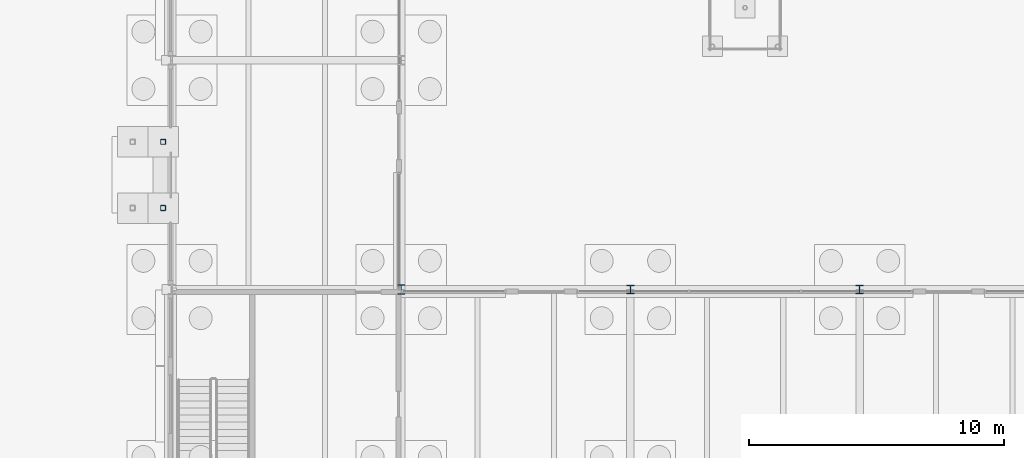
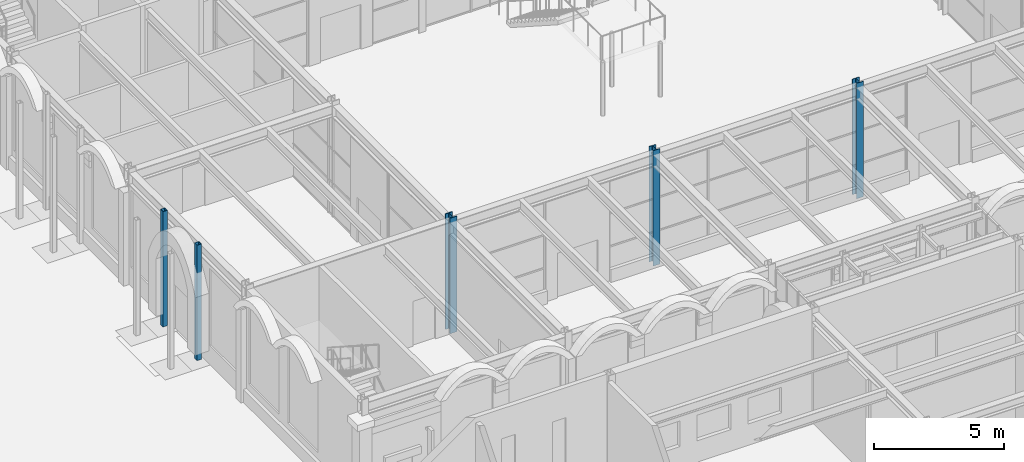
# One storey, part 12 of 126: 5 columns.
"""IFC4 building model written with IfcOpenShell, lengths in metres."""

from ifc_helpers import new_model, si_unit, direction, frame, origin, origin_2d, place, context, subcontext, project, spatial, hollow_rectangle, i_section, extrude, material, material_profile, profile_set, type_object, element, save


model = new_model("IFC4")

# Units and contexts
model_context = context("Model", 3, precision=1e-05, world=origin(), true_north=direction((0.0, 1.0)))
body_context = subcontext(model_context, "Body", "Model", "MODEL_VIEW")
ifc_project = project(units=[si_unit("LENGTHUNIT", "METRE"), si_unit("AREAUNIT", "SQUARE_METRE"), si_unit("VOLUMEUNIT", "CUBIC_METRE"), si_unit("PLANEANGLEUNIT", "RADIAN"), si_unit("MASSUNIT", "GRAM", prefix="KILO")], contexts=[model_context])

# Site, building, storey
site_placement = place(None, origin())
site = spatial("IfcSite", under=ifc_project, at=site_placement, CompositionType="ELEMENT")
building_placement = place(site_placement, origin())
building = spatial("IfcBuilding", under=site, at=building_placement, Name="Kallimachos Central Library", CompositionType="ELEMENT")
storey_placement = place(building_placement, origin())
storey = spatial("IfcBuildingStorey", under=building, at=storey_placement, Name="L00", CompositionType="ELEMENT", Elevation=0.0)

# Columns
ifc_material_1 = material(Name="Steel S355J2", Category="steel")
ifc_material_profile_1 = material_profile(ifc_material_1, i_section(OverallWidth=0.300048828125, OverallDepth=0.340087890625, WebThickness=0.011962890625, FlangeThickness=0.021484375, FilletRadius=0.027099609375, at=origin_2d()), Name="HEB 340")
ifc_profile_set_1 = profile_set([ifc_material_profile_1], Name="Steel S355J2")
column_type_1 = type_object("IfcColumnType", Name="HEB 340 column", PredefinedType="COLUMN", material=ifc_profile_set_1)
for number, where, z_axis, x_axis, name in (
    (1, (83.5, 57.0, 0.0), (0.0, 0.0, 1.0), (1.0, 0.0, 0.0), "V4-COL-L00-014"),
    (2, (92.5, 57.0, 0.0), (0.0, 0.0, 1.0), (1.0, 0.0, 0.0), "V4-COL-L00-015"),
):
    element("IfcColumn", number, at=place(storey_placement, frame(where, z_axis=z_axis, x_axis=x_axis)), inside=storey, type_object=column_type_1, Name=name, PredefinedType="COLUMN", context=body_context, shape_type="SweptSolid", body=[
        extrude(i_section(OverallWidth=0.300048828125, OverallDepth=0.340087890625, WebThickness=0.011962890625, FlangeThickness=0.021484375, FilletRadius=0.027099609375, at=origin_2d()), origin(), (0.0, 0.0, 1.0), 5.39990234375),
    ])
ifc_material_2 = material(Name="Steel S355J2", Category="steel")
ifc_material_profile_2 = material_profile(ifc_material_2, i_section(OverallWidth=0.30908203125, OverallDepth=0.376953125, WebThickness=0.02099609375, FlangeThickness=0.0400390625, FilletRadius=0.027099609375, at=origin_2d()), Name="HEM 340")
ifc_profile_set_2 = profile_set([ifc_material_profile_2], Name="Steel S355J2")
column_type_2 = type_object("IfcColumnType", Name="HEM 340 column", PredefinedType="COLUMN", material=ifc_profile_set_2)
column_placement = place(storey_placement, frame((74.5, 57.0, 0.0), z_axis=(0.0, 0.0, 1.0), x_axis=(1.0, 0.0, 0.0)))
element("IfcColumn", 3, at=column_placement, inside=storey, type_object=column_type_2, Name="V4-COL-L00-013", PredefinedType="COLUMN", context=body_context, shape_type="SweptSolid", body=[
    extrude(i_section(OverallWidth=0.30908203125, OverallDepth=0.376953125, WebThickness=0.02099609375, FlangeThickness=0.0400390625, FilletRadius=0.027099609375, at=origin_2d()), origin(), (0.0, 0.0, 1.0), 5.39990234375),
])
ifc_material_3 = material(Name="Steel S355J2H", Category="steel")
ifc_material_profile_3 = material_profile(ifc_material_3, hollow_rectangle(XDim=0.199951171875, YDim=0.199951171875, WallThickness=0.010009765625, InnerFilletRadius=0.010009765625, OuterFilletRadius=0.014892578125, at=origin_2d()), Name="SHS 200x200x10")
ifc_profile_set_3 = profile_set([ifc_material_profile_3], Name="Steel S355J2H")
column_type_3 = type_object("IfcColumnType", Name="SHS 200x200x10 column", PredefinedType="COLUMN", material=ifc_profile_set_3)
for number, where, z_axis, x_axis, name in (
    (4, (65.14990234375, 60.199951171875, 0.0), (0.0, 0.0, 1.0), (1.0, 0.0, 0.0), "Tribune bay W1 column 1"),
    (5, (65.14990234375, 62.800048828125, 0.0), (0.0, 0.0, 1.0), (1.0, 0.0, 0.0), "Tribune bay W1 column 2"),
):
    element("IfcColumn", number, at=place(storey_placement, frame(where, z_axis=z_axis, x_axis=x_axis)), inside=storey, type_object=column_type_3, Name=name, PredefinedType="COLUMN", context=body_context, shape_type="SweptSolid", body=[
        extrude(hollow_rectangle(XDim=0.199951171875, YDim=0.199951171875, WallThickness=0.010009765625, InnerFilletRadius=0.010009765625, OuterFilletRadius=0.014892578125, at=origin_2d()), origin(), (0.0, 0.0, 1.0), 5.39990234375),
    ])

save(model, "model.ifc")
